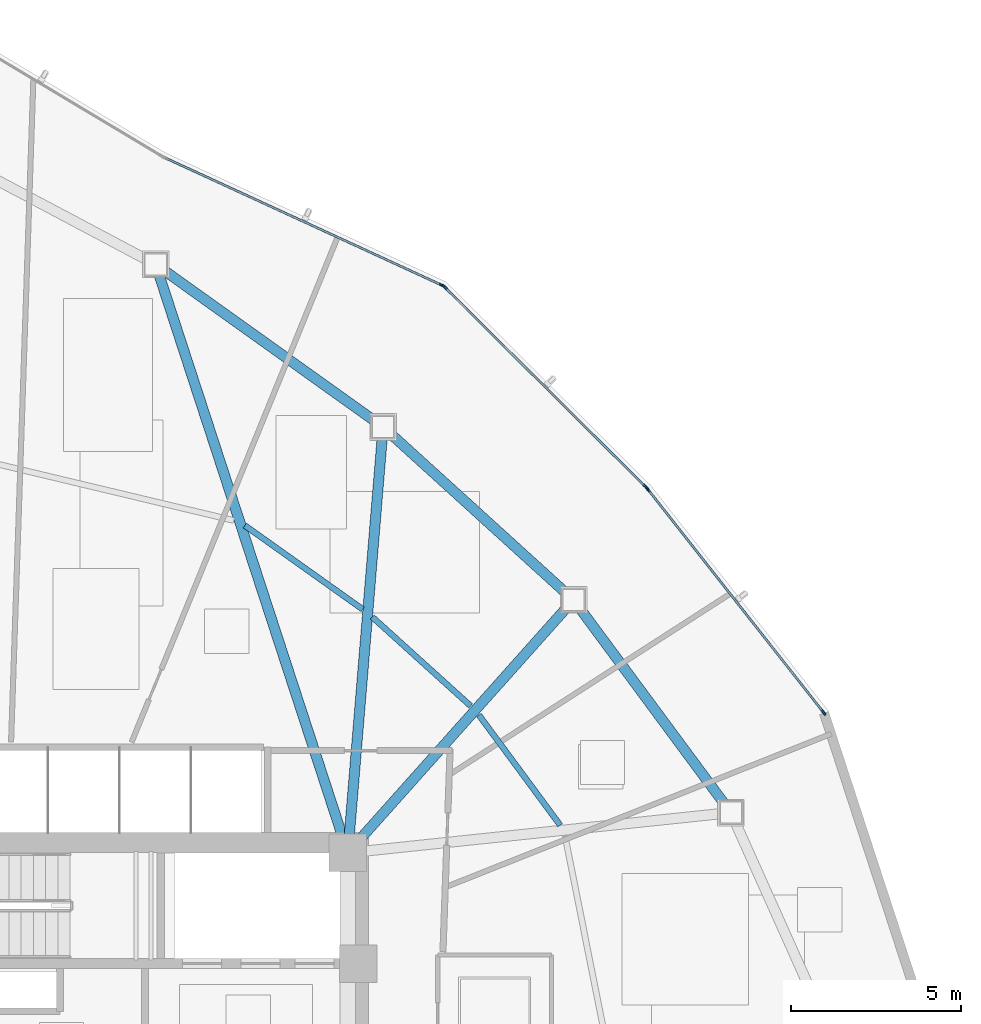
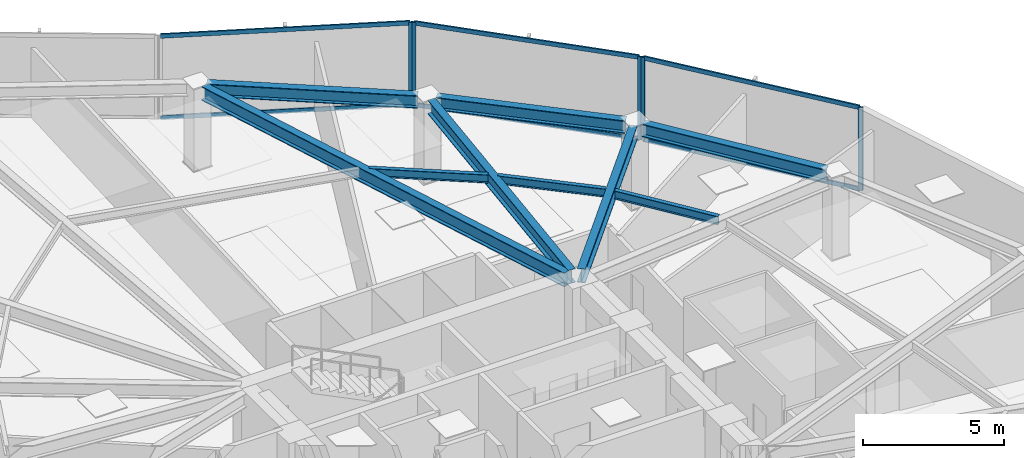
# One storey, part 9 of 17: 11 members, 9 beams, 3 elements without a shape of their own.
"""IFC4 building model written with IfcOpenShell, lengths in metres."""

from ifc_helpers import new_model, si_unit, direction, frame, origin, origin_2d, place, context, subcontext, project, spatial, hollow_rectangle, i_section, extrude, source, transform, mapped, material, layer, layer_set, material_profile, profile_set, type_object, type_shapes, element, aggregate, save


model = new_model("IFC4")

# Units and contexts
model_context = context("Model", 3, precision=1e-05, world=origin(), true_north=direction((0.0, 1.0)))
body_context = subcontext(model_context, "Body", "Model", "MODEL_VIEW")
ifc_project = project(units=[si_unit("LENGTHUNIT", "METRE"), si_unit("AREAUNIT", "SQUARE_METRE"), si_unit("VOLUMEUNIT", "CUBIC_METRE"), si_unit("PLANEANGLEUNIT", "RADIAN"), si_unit("MASSUNIT", "GRAM", prefix="KILO")], contexts=[model_context])

# Site, building, storey
site_placement = place(None, origin())
site = spatial("IfcSite", under=ifc_project, at=site_placement, CompositionType="ELEMENT")
building_placement = place(site_placement, origin())
building = spatial("IfcBuilding", under=site, at=building_placement, Name="Tavelor Broadcast Tower", CompositionType="ELEMENT")
storey_placement = place(building_placement, frame((0.0, 0.0, 74.39990234375)))
storey = spatial("IfcBuildingStorey", under=building, at=storey_placement, Name="L17", CompositionType="ELEMENT", Elevation=74.39990234375)

# Beams
ifc_material_1 = material(Name="Steel S355", Category="steel")
ifc_material_profile_1 = material_profile(ifc_material_1, i_section(OverallWidth=0.169921875, OverallDepth=0.360107421875, WebThickness=0.008056640625, FlangeThickness=0.0126953125, at=origin_2d()), Name="IPE 360")
ifc_profile_set_1 = profile_set([ifc_material_profile_1], Name="Steel S355")
beam_type_1 = type_object("IfcBeamType", Name="Composite Floor Joist T2 IPE 360", PredefinedType="JOIST", material=ifc_profile_set_1)
beam_1_placement = place(storey_placement, frame((62.831298828125, 52.012451171875, 3.420166015625), z_axis=(-0.593748309908, 0.804650821463, 0.0), x_axis=(-0.804650821463, -0.593748309908, 0.0)))
element("IfcBeam", 1, at=beam_1_placement, inside=storey, type_object=beam_type_1, Name="L17 Secondary Composite Floor Joist 15", PredefinedType="JOIST", context=body_context, shape_type="SweptSolid", body=[
    extrude(i_section(OverallWidth=0.169921875, OverallDepth=0.360107421875, WebThickness=0.008056640625, FlangeThickness=0.0126953125, at=origin_2d()), origin(), (0.0, 0.0, 1.0), 4.016845703125),
])
beam_2_placement = place(storey_placement, frame((60.20458984375, 55.51171875, 3.420166015625), z_axis=(-0.741870075826, 0.670543653011, 0.0), x_axis=(-0.670543653011, -0.741870075826, 0.0)))
element("IfcBeam", 2, at=beam_2_placement, inside=storey, type_object=beam_type_1, Name="L17 Secondary Composite Floor Joist 16", PredefinedType="JOIST", context=body_context, shape_type="SweptSolid", body=[
    extrude(i_section(OverallWidth=0.169921875, OverallDepth=0.360107421875, WebThickness=0.008056640625, FlangeThickness=0.0126953125, at=origin_2d()), origin(), (0.0, 0.0, 1.0), 3.891845703125),
])
beam_3_placement = place(storey_placement, frame((57.03564453125, 58.34765625, 3.420166015625), z_axis=(-0.814948080737, 0.579533972864, 0.0), x_axis=(-0.579533972864, -0.814948080737, 0.0)))
element("IfcBeam", 3, at=beam_3_placement, inside=storey, type_object=beam_type_1, Name="L17 Secondary Composite Floor Joist 17", PredefinedType="JOIST", context=body_context, shape_type="SweptSolid", body=[
    extrude(i_section(OverallWidth=0.169921875, OverallDepth=0.360107421875, WebThickness=0.008056640625, FlangeThickness=0.0126953125, at=origin_2d()), origin(), (0.0, 0.0, 1.0), 4.24462890625),
])
ifc_material_profile_2 = material_profile(ifc_material_1, i_section(OverallWidth=0.300048828125, OverallDepth=0.550048828125, WebThickness=0.014892578125, FlangeThickness=0.029052734375, at=origin_2d()), Name="HEB 550")
ifc_profile_set_2 = profile_set([ifc_material_profile_2], Name="Steel S355")
beam_type_2 = type_object("IfcBeamType", Name="Perimeter Spandrel Beam T2 HEB 550", PredefinedType="SPANDREL", material=ifc_profile_set_2)
beam_4_placement = place(storey_placement, frame((67.640869140625, 52.652587890625, 3.3251953125), z_axis=(-0.594676591659, 0.803965018724, 0.0), x_axis=(-0.803965018724, -0.594676591659, 0.0)))
element("IfcBeam", 4, at=beam_4_placement, inside=storey, type_object=beam_type_2, Name="L17 Framed-Tube Ring Spandrel 15", PredefinedType="SPANDREL", context=body_context, shape_type="SweptSolid", body=[
    extrude(i_section(OverallWidth=0.300048828125, OverallDepth=0.550048828125, WebThickness=0.014892578125, FlangeThickness=0.029052734375, at=origin_2d()), origin(), (0.0, 0.0, 1.0), 7.09130859375),
])
beam_5_placement = place(storey_placement, frame((62.975341796875, 58.849609375, 3.3251953125), z_axis=(-0.740416987409, 0.672147814663, 0.0), x_axis=(-0.672147814663, -0.740416987409, 0.0)))
element("IfcBeam", 5, at=beam_5_placement, inside=storey, type_object=beam_type_2, Name="L17 Framed-Tube Ring Spandrel 16", PredefinedType="SPANDREL", context=body_context, shape_type="SweptSolid", body=[
    extrude(i_section(OverallWidth=0.300048828125, OverallDepth=0.550048828125, WebThickness=0.014892578125, FlangeThickness=0.029052734375, at=origin_2d()), origin(), (0.0, 0.0, 1.0), 6.876953125),
])
beam_6_placement = place(storey_placement, frame((57.361572265625, 63.893310546875, 3.3251953125), z_axis=(-0.813492458128, 0.581575464208, 0.0), x_axis=(-0.581575464208, -0.813492458128, 0.0)))
element("IfcBeam", 6, at=beam_6_placement, inside=storey, type_object=beam_type_2, Name="L17 Framed-Tube Ring Spandrel 17", PredefinedType="SPANDREL", context=body_context, shape_type="SweptSolid", body=[
    extrude(i_section(OverallWidth=0.300048828125, OverallDepth=0.550048828125, WebThickness=0.014892578125, FlangeThickness=0.029052734375, at=origin_2d()), origin(), (0.0, 0.0, 1.0), 7.531005859375),
])
ifc_material_profile_3 = material_profile(ifc_material_1, i_section(OverallWidth=0.300048828125, OverallDepth=0.60009765625, WebThickness=0.015380859375, FlangeThickness=0.030029296875, at=origin_2d()), Name="HEB 600")
ifc_profile_set_3 = profile_set([ifc_material_profile_3], Name="Steel S355")
beam_type_3 = type_object("IfcBeamType", Name="Radial Floor Girder T2 HEB 600", PredefinedType="BEAM", material=ifc_profile_set_3)
beam_7_placement = place(storey_placement, frame((56.951416015625, 51.593994140625, 3.300048828125), z_axis=(0.665778646807, 0.74614931043, 0.0), x_axis=(-0.74614931043, 0.665778646807, 0.0)))
element("IfcBeam", 7, at=beam_7_placement, inside=storey, type_object=beam_type_3, Name="L17 Radial Primary Floor Girder 16", PredefinedType="BEAM", context=body_context, shape_type="SweptSolid", body=[
    extrude(i_section(OverallWidth=0.300048828125, OverallDepth=0.60009765625, WebThickness=0.015380859375, FlangeThickness=0.030029296875, at=origin_2d()), origin(), (0.0, 0.0, 1.0), 9.085693359375),
])
beam_8_placement = place(storey_placement, frame((56.6435546875, 51.726318359375, 3.300048828125), z_axis=(0.082528077466, 0.996588739867, 0.0), x_axis=(-0.996588739867, 0.082528077466, 0.0)))
element("IfcBeam", 8, at=beam_8_placement, inside=storey, type_object=beam_type_3, Name="L17 Radial Primary Floor Girder 17", PredefinedType="BEAM", context=body_context, shape_type="SweptSolid", body=[
    extrude(i_section(OverallWidth=0.300048828125, OverallDepth=0.60009765625, WebThickness=0.015380859375, FlangeThickness=0.030029296875, at=origin_2d()), origin(), (0.0, 0.0, 1.0), 11.67626953125),
])
beam_9_placement = place(storey_placement, frame((56.43603515625, 51.701904296875, 3.300048828125), z_axis=(-0.310367170997, 0.950616757251, 0.0), x_axis=(-0.950616757251, -0.310367170997, 0.0)))
element("IfcBeam", 9, at=beam_9_placement, inside=storey, type_object=beam_type_3, Name="L17 Radial Primary Floor Girder 18", PredefinedType="BEAM", context=body_context, shape_type="SweptSolid", body=[
    extrude(i_section(OverallWidth=0.300048828125, OverallDepth=0.60009765625, WebThickness=0.015380859375, FlangeThickness=0.030029296875, at=origin_2d()), origin(), (0.0, 0.0, 1.0), 17.3017578125),
])

# Curtain wall, members
ifc_material_2 = material(Name="Architectural Anodized Aluminium", Category="aluminium")
ifc_layer = layer(ifc_material_2, 0.179931640625)
ifc_layer_set = layer_set([ifc_layer], Name="Architectural Anodized Aluminium")
curtain_wall_type = type_object("IfcCurtainWallType", Name="Tower Low-Zone Unitised Curtain Wall CW02", PredefinedType="NOTDEFINED", material=ifc_layer_set)
curtain_wall_1_placement = place(storey_placement, origin())
curtain_wall_1 = element("IfcCurtainWall", 10, at=curtain_wall_1_placement, inside=storey, type_object=curtain_wall_type, Name="L17 Curtain Wall CW02 Run 165", PredefinedType="NOTDEFINED")
ifc_material_profile_4 = material_profile(ifc_material_2, hollow_rectangle(XDim=0.06494140625, YDim=0.179931640625, WallThickness=0.02197265625, at=origin_2d()), Name="RHS 65x180x22")
ifc_profile_set_4 = profile_set([ifc_material_profile_4], Name="Architectural Anodized Aluminium")
member_type_1 = type_object("IfcMemberType", Name="CW02 Extruded Aluminium Mullion 65x180", PredefinedType="MULLION", material=ifc_profile_set_4)
shared_shape_1 = source(origin(), body_context, "Body", "SweptSolid", [
    extrude(hollow_rectangle(XDim=0.06494140625, YDim=0.179931640625, WallThickness=0.02197265625, at=origin_2d()), origin(), (0.0, 0.0, 1.0), 3.60009765625),
])
type_shapes(member_type_1, [shared_shape_1])
member_1_placement = place(storey_placement, frame((70.56103515625, 55.31982421875, 0.0), z_axis=(0.0, 0.0, 1.0), x_axis=(-0.785588286412, -0.618749581214, 0.0)))
member_1 = element("IfcMember", 11, at=member_1_placement, type_object=member_type_1, Name="CW02 mullion 1", PredefinedType="MULLION", context=body_context, shape_type="MappedRepresentation", body=[
    mapped(shared_shape_1, transform((0.0, 0.0, 0.0), scale=1.0)),
])
member_2_placement = place(storey_placement, frame((65.403564453125, 61.867919921875, 0.0), z_axis=(0.0, 0.0, 1.0), x_axis=(-0.785588286412, -0.618749581214, 0.0)))
member_2 = element("IfcMember", 12, at=member_2_placement, type_object=member_type_1, Name="CW02 mullion 2", PredefinedType="MULLION", context=body_context, shape_type="MappedRepresentation", body=[
    mapped(shared_shape_1, transform((0.0, 0.0, 0.0), scale=1.0)),
])

curtain_wall_2_placement = place(storey_placement, origin())
curtain_wall_2 = element("IfcCurtainWall", 13, at=curtain_wall_2_placement, inside=storey, type_object=curtain_wall_type, Name="L17 Curtain Wall CW02 Run 166", PredefinedType="NOTDEFINED")
member_3_placement = place(storey_placement, frame((65.34033203125, 61.938720703125, 0.0), z_axis=(0.0, 0.0, 1.0), x_axis=(-0.70494491987, -0.709262053087, 0.0)))
member_3 = element("IfcMember", 14, at=member_3_placement, type_object=member_type_1, Name="CW02 mullion 1", PredefinedType="MULLION", context=body_context, shape_type="MappedRepresentation", body=[
    mapped(shared_shape_1, transform((0.0, 0.0, 0.0), scale=1.0)),
])
member_4_placement = place(storey_placement, frame((59.439208984375, 67.80419921875, 0.0), z_axis=(0.0, 0.0, 1.0), x_axis=(-0.70494491987, -0.709262053087, 0.0)))
member_4 = element("IfcMember", 15, at=member_4_placement, type_object=member_type_1, Name="CW02 mullion 2", PredefinedType="MULLION", context=body_context, shape_type="MappedRepresentation", body=[
    mapped(shared_shape_1, transform((0.0, 0.0, 0.0), scale=1.0)),
])

# Curtain wall, member
curtain_wall_3_placement = place(storey_placement, origin())
curtain_wall_3 = element("IfcCurtainWall", 16, at=curtain_wall_3_placement, inside=storey, type_object=curtain_wall_type, Name="L17 Curtain Wall CW02 Run 167", PredefinedType="NOTDEFINED")
member_5_placement = place(storey_placement, frame((59.3623046875, 67.857421875, 0.0), z_axis=(0.0, 0.0, 1.0), x_axis=(-0.417985031551, -0.908453913745, 0.0)))
member_5 = element("IfcMember", 17, at=member_5_placement, type_object=member_type_1, Name="CW02 mullion 1", PredefinedType="MULLION", context=body_context, shape_type="MappedRepresentation", body=[
    mapped(shared_shape_1, transform((0.0, 0.0, 0.0), scale=1.0)),
])

# Member
ifc_material_profile_5 = material_profile(ifc_material_2, hollow_rectangle(XDim=0.06494140625, YDim=0.179931640625, WallThickness=0.02197265625, at=origin_2d()), Name="RHS 65x180x22")
ifc_profile_set_5 = profile_set([ifc_material_profile_5], Name="Architectural Anodized Aluminium")
member_type_2 = type_object("IfcMemberType", Name="CW02 Extruded Aluminium Transom 65x180", PredefinedType="USERDEFINED", material=ifc_profile_set_5)
shared_shape_2 = source(origin(), body_context, "Body", "SweptSolid", [
    extrude(hollow_rectangle(XDim=0.06494140625, YDim=0.179931640625, WallThickness=0.02197265625, at=origin_2d()), origin(), (0.0, 0.0, 1.0), 8.270263671875),
])
member_6_placement = place(storey_placement, frame((70.540771484375, 55.345458984375, 0.03271484375), z_axis=(-0.618744169125, 0.785592549082, 0.0), x_axis=(-0.785592549082, -0.618744169125, 0.0)))
member_6 = element("IfcMember", 18, at=member_6_placement, type_object=member_type_2, Name="CW02 transom 1.1", ObjectType="TRANSOM", PredefinedType="USERDEFINED", context=body_context, shape_type="MappedRepresentation", body=[
    mapped(shared_shape_2, transform((0.0, 0.0, 0.0), scale=1.0)),
])

member_7_placement = place(storey_placement, frame((70.540771484375, 55.345458984375, 3.567626953125), z_axis=(-0.618744169125, 0.785592549082, 0.0), x_axis=(-0.785592549082, -0.618744169125, 0.0)))
member_7 = element("IfcMember", 19, at=member_7_placement, type_object=member_type_2, Name="CW02 transom 1.2", ObjectType="TRANSOM", PredefinedType="USERDEFINED", context=body_context, shape_type="MappedRepresentation", body=[
    mapped(shared_shape_2, transform((0.0, 0.0, 0.0), scale=1.0)),
])

aggregate(curtain_wall_1, [member_1, member_2, member_6, member_7])

shared_shape_3 = source(origin(), body_context, "Body", "SweptSolid", [
    extrude(hollow_rectangle(XDim=0.06494140625, YDim=0.179931640625, WallThickness=0.02197265625, at=origin_2d()), origin(), (0.0, 0.0, 1.0), 8.25537109375),
])
member_8_placement = place(storey_placement, frame((65.3173828125, 61.961669921875, 0.03271484375), z_axis=(-0.709262354416, 0.704944616696, 0.0), x_axis=(-0.704944616696, -0.709262354416, 0.0)))
member_8 = element("IfcMember", 20, at=member_8_placement, type_object=member_type_2, Name="CW02 transom 1.1", ObjectType="TRANSOM", PredefinedType="USERDEFINED", context=body_context, shape_type="MappedRepresentation", body=[
    mapped(shared_shape_3, transform((0.0, 0.0, 0.0), scale=1.0)),
])

member_9_placement = place(storey_placement, frame((65.3173828125, 61.961669921875, 3.567626953125), z_axis=(-0.709262354416, 0.704944616696, 0.0), x_axis=(-0.704944616696, -0.709262354416, 0.0)))
member_9 = element("IfcMember", 21, at=member_9_placement, type_object=member_type_2, Name="CW02 transom 1.2", ObjectType="TRANSOM", PredefinedType="USERDEFINED", context=body_context, shape_type="MappedRepresentation", body=[
    mapped(shared_shape_3, transform((0.0, 0.0, 0.0), scale=1.0)),
])

aggregate(curtain_wall_2, [member_3, member_4, member_8, member_9])

shared_shape_4 = source(origin(), body_context, "Body", "SweptSolid", [
    extrude(hollow_rectangle(XDim=0.06494140625, YDim=0.179931640625, WallThickness=0.02197265625, at=origin_2d()), origin(), (0.0, 0.0, 1.0), 8.889892578125),
])
type_shapes(member_type_2, [shared_shape_2, shared_shape_3, shared_shape_4])
member_10_placement = place(storey_placement, frame((59.332763671875, 67.87109375, 0.03271484375), z_axis=(-0.908457085065, 0.417978138896, 0.0), x_axis=(-0.417978138896, -0.908457085065, 0.0)))
member_10 = element("IfcMember", 22, at=member_10_placement, type_object=member_type_2, Name="CW02 transom 1.1", ObjectType="TRANSOM", PredefinedType="USERDEFINED", context=body_context, shape_type="MappedRepresentation", body=[
    mapped(shared_shape_4, transform((0.0, 0.0, 0.0), scale=1.0)),
])

member_11_placement = place(storey_placement, frame((59.332763671875, 67.87109375, 3.567626953125), z_axis=(-0.908457085065, 0.417978138896, 0.0), x_axis=(-0.417978138896, -0.908457085065, 0.0)))
member_11 = element("IfcMember", 23, at=member_11_placement, type_object=member_type_2, Name="CW02 transom 1.2", ObjectType="TRANSOM", PredefinedType="USERDEFINED", context=body_context, shape_type="MappedRepresentation", body=[
    mapped(shared_shape_4, transform((0.0, 0.0, 0.0), scale=1.0)),
])

aggregate(curtain_wall_3, [member_5, member_10, member_11])

save(model, "model.ifc")
